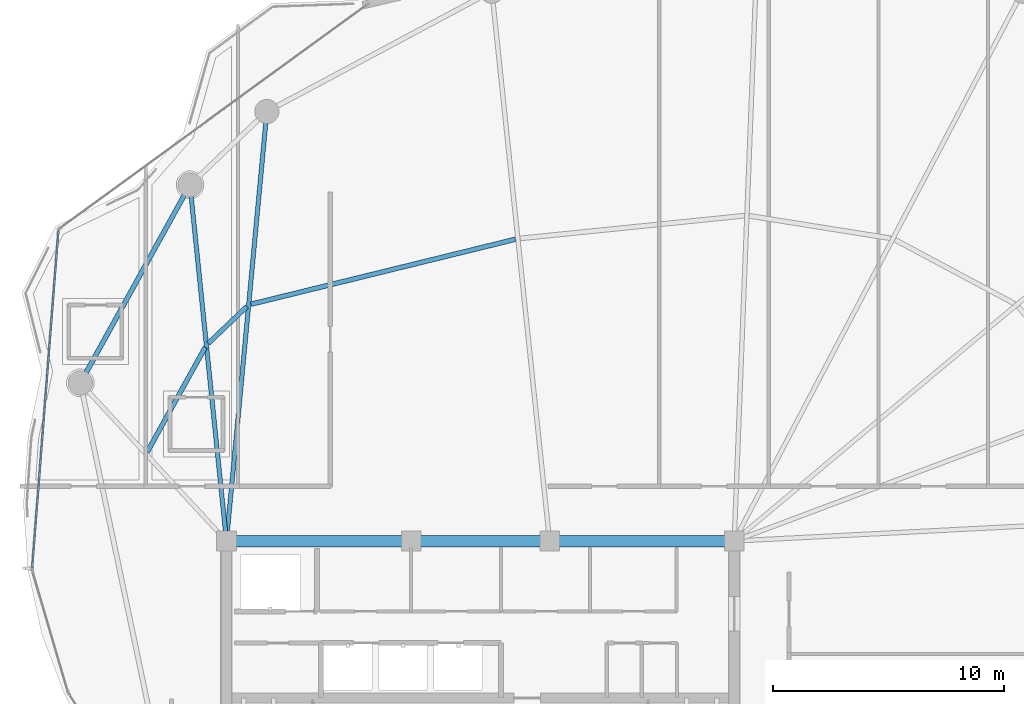
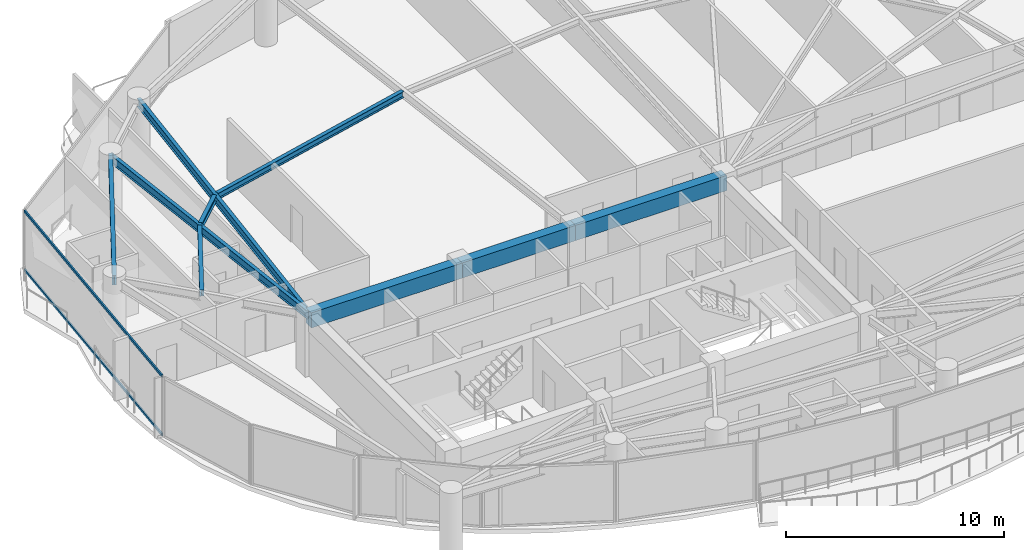
# One storey, part 9 of 31: 9 beams, 2 members, 1 element without a shape of its own.
"""IFC4 building model written with IfcOpenShell, lengths in metres."""

from ifc_helpers import new_model, si_unit, direction, frame, origin, origin_2d, place, context, subcontext, project, spatial, rectangle, hollow_rectangle, i_section, extrude, material, layer, layer_set, material_profile, profile_set, type_object, element, aggregate, save


model = new_model("IFC4")

# Units and contexts
model_context = context("Model", 3, precision=1e-05, world=origin(), true_north=direction((0.0, 1.0)))
body_context = subcontext(model_context, "Body", "Model", "MODEL_VIEW")
ifc_project = project(units=[si_unit("LENGTHUNIT", "METRE"), si_unit("AREAUNIT", "SQUARE_METRE"), si_unit("VOLUMEUNIT", "CUBIC_METRE"), si_unit("PLANEANGLEUNIT", "RADIAN"), si_unit("MASSUNIT", "GRAM", prefix="KILO")], contexts=[model_context])

# Site, building, storey
site_placement = place(None, origin())
site = spatial("IfcSite", under=ifc_project, at=site_placement, CompositionType="ELEMENT")
building_placement = place(site_placement, origin())
building = spatial("IfcBuilding", under=site, at=building_placement, Name="Kazevale Care Tower and Concert Hall", CompositionType="ELEMENT")
storey_placement = place(building_placement, frame((0.0, 0.0, 210.0)))
storey = spatial("IfcBuildingStorey", under=building, at=storey_placement, Name="L55", CompositionType="ELEMENT", Elevation=210.0)

# Curtain wall, members
ifc_material_1 = material(Name="Aluminium 6063-T6 and Low-E Glass", Category="aluminium")
ifc_layer = layer(ifc_material_1, 0.179931640625)
ifc_layer_set = layer_set([ifc_layer], Name="Aluminium 6063-T6 and Low-E Glass")
curtain_wall_type = type_object("IfcCurtainWallType", Name="Waist & Upper Residential Curtain Wall CW-4", PredefinedType="NOTDEFINED", material=ifc_layer_set)
curtain_wall_placement = place(storey_placement, origin())
curtain_wall = element("IfcCurtainWall", 1, at=curtain_wall_placement, inside=storey, type_object=curtain_wall_type, Name="cw:L55:f13", PredefinedType="NOTDEFINED")
ifc_material_2 = material(Name="Aluminium 6063-T6", Category="aluminium")
ifc_material_profile_1 = material_profile(ifc_material_2, hollow_rectangle(XDim=0.080078125, YDim=0.139892578125, WallThickness=0.00390625, at=origin_2d()), Name="ALU80x140x4")
ifc_profile_set_1 = profile_set([ifc_material_profile_1], Name="Aluminium 6063-T6")
member_type = type_object("IfcMemberType", Name="CW-4 Transom ALU80x140x4", PredefinedType="USERDEFINED", material=ifc_profile_set_1)
member_1_placement = place(storey_placement, frame((13.585205078125, 35.23681640625, 0.0400390625), z_axis=(0.077534740898, 0.996989650876, 0.0), x_axis=(-0.996989650876, 0.077534740898, 0.0)))
member_1 = element("IfcMember", 2, at=member_1_placement, type_object=member_type, Name="CW-4 transom 1.1", ObjectType="TRANSOM", PredefinedType="USERDEFINED", context=body_context, shape_type="SweptSolid", body=[
    extrude(hollow_rectangle(XDim=0.080078125, YDim=0.139892578125, WallThickness=0.00390625, at=origin_2d()), origin(), (0.0, 0.0, 1.0), 14.63232421875),
])
member_2_placement = place(storey_placement, frame((13.585205078125, 35.23681640625, 3.320068359375), z_axis=(0.077534740898, 0.996989650876, 0.0), x_axis=(-0.996989650876, 0.077534740898, 0.0)))
member_2 = element("IfcMember", 3, at=member_2_placement, type_object=member_type, Name="CW-4 transom 1.2", ObjectType="TRANSOM", PredefinedType="USERDEFINED", context=body_context, shape_type="SweptSolid", body=[
    extrude(hollow_rectangle(XDim=0.080078125, YDim=0.139892578125, WallThickness=0.00390625, at=origin_2d()), origin(), (0.0, 0.0, 1.0), 14.63232421875),
])
aggregate(curtain_wall, [member_1, member_2])

# Beams
ifc_material_3 = material(Name="Concrete C60", Category="concrete")
ifc_material_profile_2 = material_profile(ifc_material_3, rectangle(XDim=0.5, YDim=0.85009765625, at=origin_2d()), Name="RC-B500x850")
ifc_profile_set_2 = profile_set([ifc_material_profile_2], Name="Concrete C60")
beam_type_1 = type_object("IfcBeamType", Name="Core Coupling Beam RC500x850", PredefinedType="LINTEL", material=ifc_profile_set_2)
beam_1_placement = place(storey_placement, frame((44.0, 36.39990234375, 2.93505859375), z_axis=(-1.0, 0.0, 0.0), x_axis=(0.0, -1.0, 0.0)))
element("IfcBeam", 4, at=beam_1_placement, inside=storey, type_object=beam_type_1, Name="beam:L55:coretie:5", PredefinedType="LINTEL", context=body_context, shape_type="SweptSolid", body=[
    extrude(rectangle(XDim=0.5, YDim=0.85009765625, at=origin_2d()), origin(), (0.0, 0.0, 1.0), 8.0),
])
beam_2_placement = place(storey_placement, frame((36.0, 36.39990234375, 2.93505859375), z_axis=(-1.0, 0.0, 0.0), x_axis=(0.0, -1.0, 0.0)))
element("IfcBeam", 5, at=beam_2_placement, inside=storey, type_object=beam_type_1, Name="beam:L55:coretie:6", PredefinedType="LINTEL", context=body_context, shape_type="SweptSolid", body=[
    extrude(rectangle(XDim=0.5, YDim=0.85009765625, at=origin_2d()), origin(), (0.0, 0.0, 1.0), 6.0),
])
beam_3_placement = place(storey_placement, frame((30.0, 36.39990234375, 2.93505859375), z_axis=(-1.0, 0.0, 0.0), x_axis=(0.0, -1.0, 0.0)))
element("IfcBeam", 6, at=beam_3_placement, inside=storey, type_object=beam_type_1, Name="beam:L55:coretie:7", PredefinedType="LINTEL", context=body_context, shape_type="SweptSolid", body=[
    extrude(rectangle(XDim=0.5, YDim=0.85009765625, at=origin_2d()), origin(), (0.0, 0.0, 1.0), 8.0),
])
ifc_material_4 = material(Name="Steel ASTM A572 Gr 50", Category="steel")
ifc_material_profile_3 = material_profile(ifc_material_4, i_section(OverallWidth=0.19091796875, OverallDepth=0.4599609375, WebThickness=0.010009765625, FlangeThickness=0.01611328125, at=origin_2d()), Name="W460x82")
ifc_profile_set_3 = profile_set([ifc_material_profile_3], Name="Steel ASTM A572 Gr 50")
beam_type_2 = type_object("IfcBeamType", Name="Radial Floor Beam W460x82", PredefinedType="BEAM", material=ifc_profile_set_3)
beam_4_placement = place(storey_placement, frame((22.0, 36.39990234375, 3.1298828125), z_axis=(0.093621904075, 0.995607823933, 0.0), x_axis=(-0.995607823933, 0.093621904075, 0.0)))
element("IfcBeam", 7, at=beam_4_placement, inside=storey, type_object=beam_type_2, Name="beam:L55:rad:07", PredefinedType="BEAM", context=body_context, shape_type="SweptSolid", body=[
    extrude(i_section(OverallWidth=0.19091796875, OverallDepth=0.4599609375, WebThickness=0.010009765625, FlangeThickness=0.01611328125, at=origin_2d()), origin(), (0.0, 0.0, 1.0), 18.692138671875),
])
beam_5_placement = place(storey_placement, frame((22.0, 36.39990234375, 3.1298828125), z_axis=(-0.101869109083, 0.994797810922, 0.0), x_axis=(-0.994797810922, -0.101869109083, 0.0)))
element("IfcBeam", 8, at=beam_5_placement, inside=storey, type_object=beam_type_2, Name="beam:L55:rad:08", PredefinedType="BEAM", context=body_context, shape_type="SweptSolid", body=[
    extrude(i_section(OverallWidth=0.19091796875, OverallDepth=0.4599609375, WebThickness=0.010009765625, FlangeThickness=0.01611328125, at=origin_2d()), origin(), (0.0, 0.0, 1.0), 15.510986328125),
])
ifc_material_profile_4 = material_profile(ifc_material_4, i_section(OverallWidth=0.205078125, OverallDepth=0.35400390625, WebThickness=0.009521484375, FlangeThickness=0.016845703125, at=origin_2d()), Name="W360x79")
ifc_profile_set_4 = profile_set([ifc_material_profile_4], Name="Steel ASTM A572 Gr 50")
beam_type_3 = type_object("IfcBeamType", Name="Secondary Floor Joist W360x79", PredefinedType="JOIST", material=ifc_profile_set_4)
beam_6_placement = place(storey_placement, frame((34.52294921875, 49.47607421875, 3.18310546875), z_axis=(-0.971122715177, -0.238580535809, 0.0), x_axis=(0.238580535809, -0.971122715177, 0.0)))
element("IfcBeam", 9, at=beam_6_placement, inside=storey, type_object=beam_type_3, Name="beam:L55:joist:06", PredefinedType="JOIST", context=body_context, shape_type="SweptSolid", body=[
    extrude(i_section(OverallWidth=0.205078125, OverallDepth=0.35400390625, WebThickness=0.009521484375, FlangeThickness=0.016845703125, at=origin_2d()), origin(), (0.0, 0.0, 1.0), 11.7998046875),
])
beam_7_placement = place(storey_placement, frame((22.886962890625, 46.56298828125, 3.18310546875), z_axis=(-0.723262472539, -0.690573237114, 0.0), x_axis=(0.690573237114, -0.723262472539, 0.0)))
element("IfcBeam", 10, at=beam_7_placement, inside=storey, type_object=beam_type_3, Name="beam:L55:joist:07", PredefinedType="JOIST", context=body_context, shape_type="SweptSolid", body=[
    extrude(i_section(OverallWidth=0.205078125, OverallDepth=0.35400390625, WebThickness=0.009521484375, FlangeThickness=0.016845703125, at=origin_2d()), origin(), (0.0, 0.0, 1.0), 2.32275390625),
])
beam_8_placement = place(storey_placement, frame((21.080078125, 44.794921875, 3.18310546875), z_axis=(-0.484322963201, -0.874889288605, 0.0), x_axis=(0.874889288605, -0.484322963201, 0.0)))
element("IfcBeam", 11, at=beam_8_placement, inside=storey, type_object=beam_type_3, Name="beam:L55:joist:08", PredefinedType="JOIST", context=body_context, shape_type="SweptSolid", body=[
    extrude(i_section(OverallWidth=0.205078125, OverallDepth=0.35400390625, WebThickness=0.009521484375, FlangeThickness=0.016845703125, at=origin_2d()), origin(), (0.0, 0.0, 1.0), 5.1845703125),
])
ifc_material_profile_5 = material_profile(ifc_material_4, i_section(OverallWidth=0.208984375, OverallDepth=0.532958984375, WebThickness=0.01025390625, FlangeThickness=0.015625, at=origin_2d()), Name="W530x92")
ifc_profile_set_5 = profile_set([ifc_material_profile_5], Name="Steel ASTM A572 Gr 50")
beam_type_4 = type_object("IfcBeamType", Name="Upper Ring Beam W530x92", PredefinedType="BEAM", material=ifc_profile_set_5)
beam_9_placement = place(storey_placement, frame((20.419921875, 51.830078125, 3.093505859375), z_axis=(-0.484340382014, -0.874879645637, 0.0), x_axis=(0.874879645637, -0.484340382014, 0.0)))
element("IfcBeam", 12, at=beam_9_placement, inside=storey, type_object=beam_type_4, Name="beam:L55:ring:08", PredefinedType="BEAM", context=body_context, shape_type="SweptSolid", body=[
    extrude(i_section(OverallWidth=0.208984375, OverallDepth=0.532958984375, WebThickness=0.01025390625, FlangeThickness=0.015625, at=origin_2d()), origin(), (0.0, 0.0, 1.0), 9.80712890625),
])

save(model, "model.ifc")
